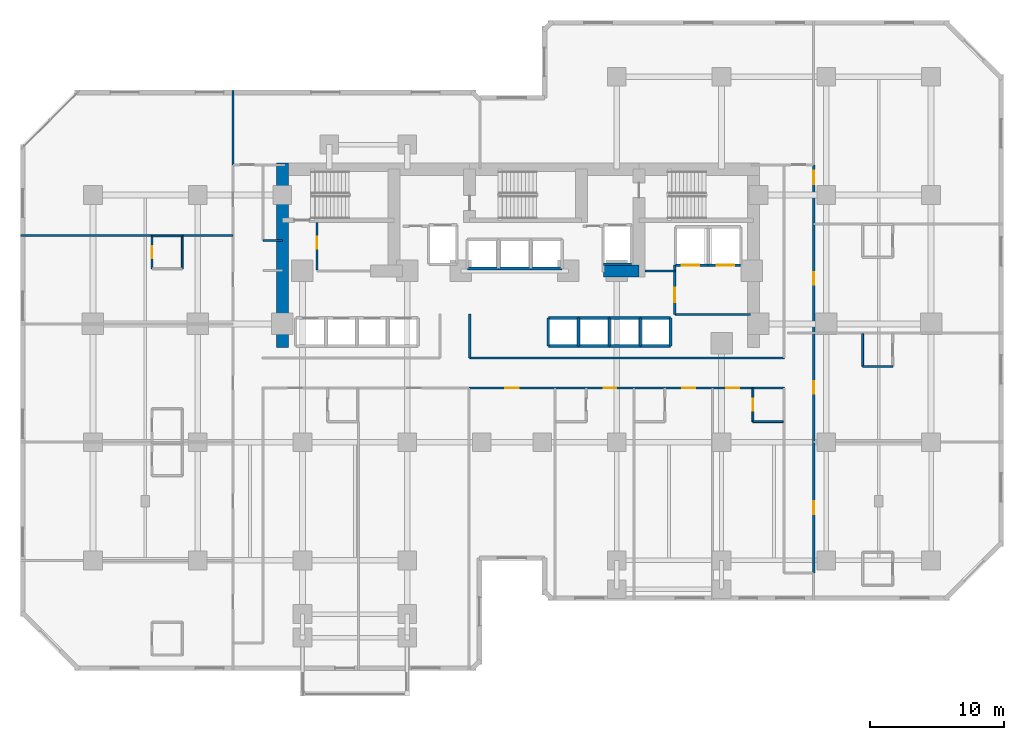
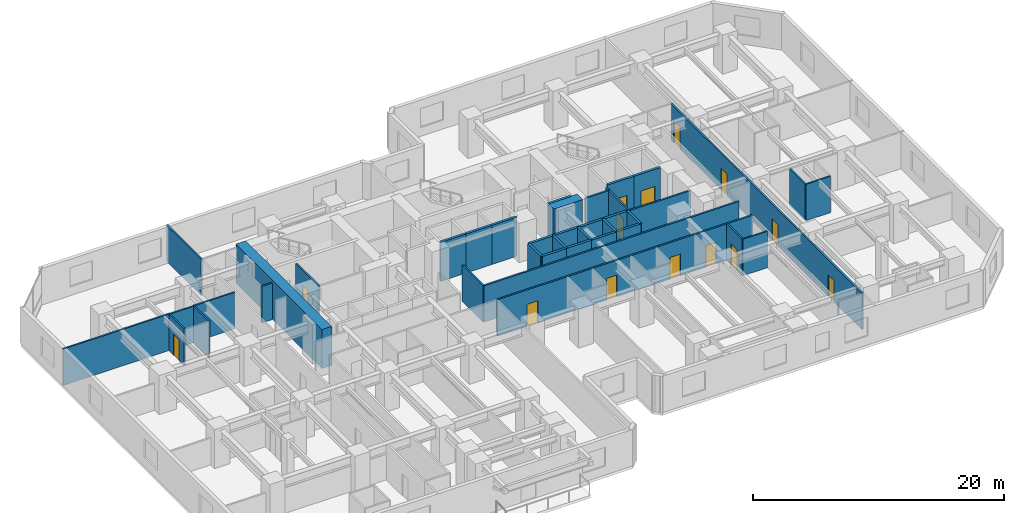
# One storey, part 7 of 12: 40 walls, 14 doors, 14 openings.
"""IFC4 building model written with IfcOpenShell, lengths in metres."""

import ifcopenshell
import ifcopenshell.guid

model = None  # the IFC model being written
_history = None  # IfcOwnerHistory: only IFC2X3 demands one
_inside = {}  # id of a spatial element -> (the spatial element, [elements in it])
_under = {}  # id of a project, library or spatial element -> (it, [spatial elements below it])
_declared = {}  # id of a project -> (the project, [libraries it declares])
_typed = {}  # id of a type object -> (the type object, [elements of that type])
_made_of = {}  # id of a material, layer set ... -> (it, [elements and type objects made of it])


def new_model(schema):
    """Start an empty IFC model of exactly this schema.

    Asked for "IFC4X3", IfcOpenShell would pick the latest addendum, in which some entities
    have other attributes; the version numbers below select the first issue.
    IFC2X3 requires an IfcOwnerHistory on every rooted entity: one is made here for all.
    """
    global model, _history
    if schema == "IFC4X3":
        model = ifcopenshell.file(schema_version=(4, 3, 0, 0))
    else:
        model = ifcopenshell.file(schema=schema)
    _inside.clear()
    _under.clear()
    _declared.clear()
    _typed.clear()
    _made_of.clear()
    _history = None
    if model.schema == "IFC2X3":
        org = make("IfcOrganization", Name="unknown")
        user = make(
            "IfcPersonAndOrganization",
            ThePerson=make("IfcPerson", FamilyName="unknown"),
            TheOrganization=org,
        )
        app = make(
            "IfcApplication",
            ApplicationDeveloper=org,
            Version="unknown",
            ApplicationFullName="unknown",
            ApplicationIdentifier="unknown",
        )
        _history = make(
            "IfcOwnerHistory",
            OwningUser=user,
            OwningApplication=app,
            ChangeAction="ADDED",
            CreationDate=0,
        )
    return model


def make(cls, **values):
    """One entity of the class cls with the attributes given. An attribute that is None is left unset."""
    return model.create_entity(
        cls, **{name: value for name, value in values.items() if value is not None}
    )


def rooted(cls, **values):
    """An entity with a GlobalId (a new one), such as an element, a storey or a relation."""
    return make(cls, GlobalId=ifcopenshell.guid.new(), OwnerHistory=_history, **values)


def si_unit(unit_type, name, prefix=None):
    """IfcSIUnit, for example si_unit("LENGTHUNIT", "METRE", prefix="MILLI")."""
    return make("IfcSIUnit", UnitType=unit_type, Prefix=prefix, Name=name)


def assignment(units):
    """IfcUnitAssignment: the units of a project."""
    return None if units is None else make("IfcUnitAssignment", Units=units)


def point(xyz):
    """IfcCartesianPoint."""
    return None if xyz is None else make("IfcCartesianPoint", Coordinates=xyz)


def direction(xyz):
    """IfcDirection."""
    return None if xyz is None else make("IfcDirection", DirectionRatios=xyz)


def frame(location, z_axis=None, x_axis=None):
    """IfcAxis2Placement3D, a coordinate frame: its origin and axes. An axis left out is left unset."""
    return make(
        "IfcAxis2Placement3D",
        Location=point(location),
        Axis=direction(z_axis),
        RefDirection=direction(x_axis),
    )


def frame_2d(location, x_axis=None):
    """IfcAxis2Placement2D, a coordinate frame in the plane: its origin and x axis."""
    return make(
        "IfcAxis2Placement2D", Location=point(location), RefDirection=direction(x_axis)
    )


def origin():
    """The frame at (0, 0, 0) with its axes left unset."""
    return frame((0.0, 0.0, 0.0))


def place(relative_to, where):
    """IfcLocalPlacement: puts the frame where relative to a parent placement (None: the world)."""
    return make(
        "IfcLocalPlacement", PlacementRelTo=relative_to, RelativePlacement=where
    )


def context(
    kind, dimensions, precision=None, world=None, true_north=None, identifier=None
):
    """IfcGeometricRepresentationContext, for example the 3D "Model" context."""
    return make(
        "IfcGeometricRepresentationContext",
        ContextIdentifier=identifier,
        ContextType=kind,
        CoordinateSpaceDimension=dimensions,
        Precision=precision,
        WorldCoordinateSystem=world,
        TrueNorth=true_north,
    )


def subcontext(parent, identifier, kind, view, scale=None):
    """IfcGeometricRepresentationSubContext, for example "Body" below "Model"."""
    return make(
        "IfcGeometricRepresentationSubContext",
        ContextIdentifier=identifier,
        ContextType=kind,
        ParentContext=parent,
        TargetScale=scale,
        TargetView=view,
    )


def project(units=None, contexts=None):
    """IfcProject with its units and contexts."""
    return rooted(
        "IfcProject",
        Name="project",
        RepresentationContexts=contexts,
        UnitsInContext=assignment(units),
    )


def spatial(cls, under=None, at=None, **own):
    """A site, building, storey or space (cls), placed at a placement, below another one or the project."""
    s = rooted(cls, ObjectPlacement=at, **own)
    if under is not None:
        _under.setdefault(under.id(), (under, []))[1].append(s)
    return s


def profile(cls, at=None, kind="AREA", **sizes):
    """A parametric profile (cls). Its sizes go by their IFC names, for example OverallWidth=200.0."""
    return make(cls, ProfileType=kind, Position=at, **sizes)


def rectangle(**sizes):
    """IfcRectangleProfileDef."""
    return profile("IfcRectangleProfileDef", **sizes)


def extrude(swept, where, along, depth):
    """IfcExtrudedAreaSolid: the profile swept, set in the frame where, extruded along a direction by depth."""
    return make(
        "IfcExtrudedAreaSolid",
        SweptArea=swept,
        Position=where,
        ExtrudedDirection=direction(along),
        Depth=depth,
    )


def shape(context_of_items, identifier, shape_type, items):
    """IfcShapeRepresentation: the items that make up one representation, for example the "Body"."""
    return make(
        "IfcShapeRepresentation",
        ContextOfItems=context_of_items,
        RepresentationIdentifier=identifier,
        RepresentationType=shape_type,
        Items=items,
    )


def material(Name=None, Category=None):
    """IfcMaterial."""
    return make("IfcMaterial", Name=Name, Category=Category)


def layer(
    of_material, thickness, ventilated=None, Name=None, Category=None, Priority=None
):
    """IfcMaterialLayer: one layer of a wall or slab, of a material (None: an air gap)."""
    return make(
        "IfcMaterialLayer",
        Material=of_material,
        LayerThickness=thickness,
        IsVentilated=ventilated,
        Name=Name,
        Category=Category,
        Priority=Priority,
    )


def layer_set(layers, Name=None):
    """IfcMaterialLayerSet."""
    return make("IfcMaterialLayerSet", MaterialLayers=layers, LayerSetName=Name)


def made_of(thing, what):
    """Note that an element or type object is made of a material, layer set ...; save() writes the relation."""
    if what is not None:
        _made_of.setdefault(what.id(), (what, []))[1].append(thing)
    return thing


def type_object(cls, material=None, **own):
    """A type object (cls), such as IfcWallType, which elements share."""
    return made_of(rooted(cls, **own), material)


def element(
    cls,
    number,
    at=None,
    inside=None,
    cuts=None,
    type_object=None,
    material=None,
    context=None,
    identifier="Body",
    shape_type=None,
    held_by="IfcProductDefinitionShape",
    body=None,
    shapes=None,
    **own,
):
    """One element of the class cls, such as IfcWall. Its Tag is "e" and its number.

    at: its placement. inside: the storey or other place that contains it. cuts: it is an
    opening in that element (IfcRelVoidsElement). A single representation is given by context,
    identifier, shape_type and body (its items); several are given by shapes. held_by: the class
    of the entity that holds the representations. save() writes the other relations.
    """
    e = rooted(cls, Tag="e%d" % number, ObjectPlacement=at, **own)
    if body is not None:
        shapes = [shape(context, identifier, shape_type, body)]
    if shapes is not None:
        e.Representation = make(held_by, Representations=shapes)
    if inside is not None:
        _inside.setdefault(inside.id(), (inside, []))[1].append(e)
    if cuts is not None:
        rooted(
            "IfcRelVoidsElement", RelatingBuildingElement=cuts, RelatedOpeningElement=e
        )
    if type_object is not None:
        _typed.setdefault(type_object.id(), (type_object, []))[1].append(e)
    return made_of(e, material)


def fill(opening, filler):
    """IfcRelFillsElement: the door or window that sits in an opening."""
    return rooted(
        "IfcRelFillsElement",
        RelatingOpeningElement=opening,
        RelatedBuildingElement=filler,
    )


def aggregate(whole, parts):
    """IfcRelAggregates: a whole, such as a stair, and the parts it consists of."""
    return rooted("IfcRelAggregates", RelatingObject=whole, RelatedObjects=parts)


def save(model, path):
    """Write the relations noted so far, then the file.

    IfcRelAggregates (storeys below a building ...), IfcRelContainedInSpatialStructure (elements
    in a storey), IfcRelDefinesByType, IfcRelAssociatesMaterial and IfcRelDeclares: one each for
    every whole, place, type object, material and project.
    """
    for whole, parts in _under.values():
        aggregate(whole, parts)
    for where, things in _inside.values():
        rooted(
            "IfcRelContainedInSpatialStructure",
            RelatedElements=things,
            RelatingStructure=where,
        )
    for kind, things in _typed.values():
        rooted("IfcRelDefinesByType", RelatedObjects=things, RelatingType=kind)
    for what, things in _made_of.values():
        rooted("IfcRelAssociatesMaterial", RelatedObjects=things, RelatingMaterial=what)
    for by, libraries in _declared.values():
        rooted("IfcRelDeclares", RelatingContext=by, RelatedDefinitions=libraries)
    model.write(path)


model = new_model("IFC4")

# Units and contexts
model_context = context("Model", 3, precision=1e-05, world=origin(), true_north=direction((0.0, 1.0)))
body_context = subcontext(model_context, "Body", "Model", "MODEL_VIEW")
ifc_project = project(units=[si_unit("LENGTHUNIT", "METRE"), si_unit("AREAUNIT", "SQUARE_METRE"), si_unit("VOLUMEUNIT", "CUBIC_METRE"), si_unit("PLANEANGLEUNIT", "RADIAN"), si_unit("MASSUNIT", "GRAM", prefix="KILO")], contexts=[model_context])

# Site, building, storey
site_placement = place(None, origin())
site = spatial("IfcSite", under=ifc_project, at=site_placement, CompositionType="ELEMENT")
building_placement = place(site_placement, origin())
building = spatial("IfcBuilding", under=site, at=building_placement, Name="Kestravale Grand Hotel", CompositionType="ELEMENT")
storey_placement = place(building_placement, frame((0.0, 0.0, 60.199951171875)))
storey = spatial("IfcBuildingStorey", under=building, at=storey_placement, Name="L14", CompositionType="ELEMENT", Elevation=60.199951171875)

# Walls
ifc_material_1 = material(Name="Concrete f'c 70 MPa", Category="concrete")
ifc_layer_1 = layer(ifc_material_1, 0.89990234375)
ifc_layer_set_1 = layer_set([ifc_layer_1], Name="EW-CORE-900")
wall_type_1 = type_object("IfcWallType", Name="EW-CORE-900", PredefinedType="SHEAR", material=ifc_layer_set_1)
wall_1_placement = place(storey_placement, frame((21.89990234375, 27.050048828125, 0.0), z_axis=(0.0, 0.0, 1.0), x_axis=(0.0, 1.0, 0.0)))
element("IfcWall", 1, at=wall_1_placement, inside=storey, type_object=wall_type_1, Name="L14 core shear wall W1", PredefinedType="SHEAR", context=body_context, shape_type="SweptSolid", body=[
    extrude(rectangle(XDim=13.719970703125, YDim=0.89990234375, at=frame_2d((6.85986328125, 0.0))), origin(), (0.0, 0.0, 1.0), 3.800048828125),
])
wall_2_placement = place(storey_placement, frame((45.81005859375, 32.75, 0.0), z_axis=(0.0, 0.0, 1.0), x_axis=(1.0, 0.0, 0.0)))
element("IfcWall", 2, at=wall_2_placement, inside=storey, type_object=wall_type_1, Name="L14 core shear wall S2", PredefinedType="SHEAR", context=body_context, shape_type="SweptSolid", body=[
    extrude(rectangle(XDim=2.639892578125, YDim=0.89990234375, at=frame_2d((1.31982421875, 0.0))), origin(), (0.0, 0.0, 1.0), 3.800048828125),
])

# Wall, opening, door
ifc_material_2 = material(Name="Acoustic fire-rated gypsum board partition", Category="other")
ifc_layer_2 = layer(ifc_material_2, 0.159912109375)
ifc_layer_set_2 = layer_set([ifc_layer_2], Name="IW-CORR-160")
wall_type_2 = type_object("IfcWallType", Name="IW-CORR-160", PredefinedType="PARTITIONING", material=ifc_layer_set_2)
wall_3_placement = place(storey_placement, frame((24.47998046875, 32.800048828125, 0.0), z_axis=(0.0, 0.0, 1.0), x_axis=(0.0, 1.0, 0.0)))
wall_3 = element("IfcWall", 3, at=wall_3_placement, inside=storey, type_object=wall_type_2, Name="L14 west core vestibule wall", PredefinedType="PARTITIONING", context=body_context, shape_type="SweptSolid", body=[
    extrude(rectangle(XDim=3.570068359375, YDim=0.159912109375, at=frame_2d((1.78515625, 0.0))), origin(), (0.0, 0.0, 1.0), 3.5400390625),
])
opening_1_placement = place(wall_3_placement, frame((1.603515625, 0.0, 0.0)))
opening_1 = element("IfcOpeningElement", 4, at=opening_1_placement, cuts=wall_3, Name="Opening D-SH-900", PredefinedType="OPENING", context=body_context, shape_type="SweptSolid", body=[
    extrude(rectangle(XDim=0.89990234375, YDim=2.10009765625, at=frame_2d((0.449951171875, 1.050048828125))), frame((0.0, 0.08984375, 0.0), z_axis=(0.0, -1.0, 0.0), x_axis=(1.0, 0.0, 0.0)), (0.0, 0.0, 1.0), 0.179931640625),
])
ifc_material_3 = material(Name="Galvanised 90-minute shaft and service fire door", Category="steel")
door_type_1 = type_object("IfcDoorType", Name="D-SH-900", OperationType="NOTDEFINED", PredefinedType="DOOR", material=ifc_material_3)
door_1_placement = place(opening_1_placement, origin())
door_1 = element("IfcDoor", 5, at=door_1_placement, inside=storey, type_object=door_type_1, Name="D-L14-HK", OperationType="SINGLE_SWING_RIGHT", OverallHeight=2.10009765625, OverallWidth=0.89990234375, PredefinedType="DOOR", context=body_context, shape_type="SweptSolid", body=[
    extrude(rectangle(XDim=0.89990234375, YDim=2.10009765625, at=frame_2d((0.449951171875, 1.050048828125))), frame((0.0, 0.02490234375, 0.0), z_axis=(0.0, -1.0, 0.0), x_axis=(1.0, 0.0, 0.0)), (0.0, 0.0, 1.0), 0.050048828125),
])
fill(opening_1, door_1)

wall_4_placement = place(storey_placement, frame((51.1201171875, 29.5, 0.0), z_axis=(0.0, 0.0, 1.0), x_axis=(0.0, 1.0, 0.0)))
wall_4 = element("IfcWall", 6, at=wall_4_placement, inside=storey, type_object=wall_type_2, Name="W-L14-SVCLOB-W", PredefinedType="PARTITIONING", context=body_context, shape_type="SweptSolid", body=[
    extrude(rectangle(XDim=3.699951171875, YDim=0.159912109375, at=frame_2d((1.85009765625, 0.0))), origin(), (0.0, 0.0, 1.0), 3.5400390625),
])
opening_2_placement = place(wall_4_placement, frame((0.89990234375, 0.0, 0.0)))
opening_2 = element("IfcOpeningElement", 7, at=opening_2_placement, cuts=wall_4, Name="Opening D-CORR-1100", PredefinedType="OPENING", context=body_context, shape_type="SweptSolid", body=[
    extrude(rectangle(XDim=1.10009765625, YDim=2.14990234375, at=frame_2d((0.550048828125, 1.074951171875))), frame((0.0, 0.08984375, 0.0), z_axis=(0.0, -1.0, 0.0), x_axis=(1.0, 0.0, 0.0)), (0.0, 0.0, 1.0), 0.179931640625),
])
ifc_material_4 = material(Name="Single-leaf service vestibule fire door", Category="steel")
door_type_2 = type_object("IfcDoorType", Name="D-CORR-1100", OperationType="NOTDEFINED", PredefinedType="DOOR", material=ifc_material_4)
door_2_placement = place(opening_2_placement, origin())
door_2 = element("IfcDoor", 8, at=door_2_placement, inside=storey, type_object=door_type_2, Name="L14 service lift lobby door", OperationType="SINGLE_SWING_LEFT", OverallHeight=2.14990234375, OverallWidth=1.10009765625, PredefinedType="DOOR", context=body_context, shape_type="SweptSolid", body=[
    extrude(rectangle(XDim=1.10009765625, YDim=2.14990234375, at=frame_2d((0.550048828125, 1.074951171875))), frame((0.0, 0.02490234375, 0.0), z_axis=(0.0, -1.0, 0.0), x_axis=(1.0, 0.0, 0.0)), (0.0, 0.0, 1.0), 0.050048828125),
])
fill(opening_2, door_2)

# Walls
wall_5_placement = place(storey_placement, frame((51.1201171875, 29.5, 0.0), z_axis=(0.0, 0.0, 1.0), x_axis=(1.0, 0.0, 0.0)))
element("IfcWall", 9, at=wall_5_placement, inside=storey, type_object=wall_type_2, Name="L14 service lift lobby wall", PredefinedType="PARTITIONING", context=body_context, shape_type="SweptSolid", body=[
    extrude(rectangle(XDim=5.6298828125, YDim=0.159912109375, at=frame_2d((2.81494140625, 0.0))), origin(), (0.0, 0.0, 1.0), 3.5400390625),
])
wall_6_placement = place(storey_placement, frame((48.919921875, 32.75, 0.0), z_axis=(0.0, 0.0, 1.0), x_axis=(1.0, 0.0, 0.0)))
element("IfcWall", 10, at=wall_6_placement, inside=storey, type_object=wall_type_2, Name="W-L14-CES", PredefinedType="PARTITIONING", context=body_context, shape_type="SweptSolid", body=[
    extrude(rectangle(XDim=2.2001953125, YDim=0.159912109375, at=frame_2d((1.10009765625, 0.0))), origin(), (0.0, 0.0, 1.0), 3.5400390625),
])
wall_7_placement = place(storey_placement, frame((35.85009765625, 26.260009765625, 0.0), z_axis=(0.0, 0.0, 1.0), x_axis=(1.0, 0.0, 0.0)))
element("IfcWall", 11, at=wall_7_placement, inside=storey, type_object=wall_type_2, Name="W-L14-CE-N", PredefinedType="PARTITIONING", context=body_context, shape_type="SweptSolid", body=[
    extrude(rectangle(XDim=23.449951171875, YDim=0.159912109375, at=frame_2d((11.72509765625, 0.0))), origin(), (0.0, 0.0, 1.0), 3.5400390625),
])
wall_8_placement = place(storey_placement, frame((35.85009765625, 26.260009765625, 0.0), z_axis=(0.0, 0.0, 1.0), x_axis=(0.0, 1.0, 0.0)))
element("IfcWall", 12, at=wall_8_placement, inside=storey, type_object=wall_type_2, Name="W-L14-TRUNK-E", PredefinedType="PARTITIONING", context=body_context, shape_type="SweptSolid", body=[
    extrude(rectangle(XDim=3.2900390625, YDim=0.159912109375, at=frame_2d((1.64501953125, 0.0))), origin(), (0.0, 0.0, 1.0), 3.5400390625),
])

# Wall, openings, doors
wall_9_placement = place(storey_placement, frame((35.800048828125, 24.0400390625, 0.0), z_axis=(0.0, 0.0, 1.0), x_axis=(1.0, 0.0, 0.0)))
wall_9 = element("IfcWall", 13, at=wall_9_placement, inside=storey, type_object=wall_type_2, Name="W-L14-CE-S", PredefinedType="PARTITIONING", context=body_context, shape_type="SweptSolid", body=[
    extrude(rectangle(XDim=23.5, YDim=0.159912109375, at=frame_2d((11.75, 0.0))), origin(), (0.0, 0.0, 1.0), 3.5400390625),
])
opening_3_placement = place(wall_9_placement, frame((2.705078125, 0.0, 0.0)))
opening_3 = element("IfcOpeningElement", 14, at=opening_3_placement, cuts=wall_9, Name="Opening D-GUEST-1000", PredefinedType="OPENING", context=body_context, shape_type="SweptSolid", body=[
    extrude(rectangle(XDim=1.0, YDim=2.14990234375, at=frame_2d((0.5, 1.074951171875))), frame((0.0, 0.08984375, 0.0), z_axis=(0.0, -1.0, 0.0), x_axis=(1.0, 0.0, 0.0)), (0.0, 0.0, 1.0), 0.179931640625),
])
opening_4_placement = place(wall_9_placement, frame((10.02001953125, 0.0, 0.0)))
opening_4 = element("IfcOpeningElement", 15, at=opening_4_placement, cuts=wall_9, Name="Opening D-GUEST-950", PredefinedType="OPENING", context=body_context, shape_type="SweptSolid", body=[
    extrude(rectangle(XDim=0.949951171875, YDim=2.10009765625, at=frame_2d((0.47509765625, 1.050048828125))), frame((0.0, 0.08984375, 0.0), z_axis=(0.0, -1.0, 0.0), x_axis=(1.0, 0.0, 0.0)), (0.0, 0.0, 1.0), 0.179931640625),
])
opening_5_placement = place(wall_9_placement, frame((15.8798828125, 0.0, 0.0)))
opening_5 = element("IfcOpeningElement", 16, at=opening_5_placement, cuts=wall_9, Name="Opening D-GUEST-950", PredefinedType="OPENING", context=body_context, shape_type="SweptSolid", body=[
    extrude(rectangle(XDim=0.949951171875, YDim=2.10009765625, at=frame_2d((0.47509765625, 1.050048828125))), frame((0.0, 0.08984375, 0.0), z_axis=(0.0, -1.0, 0.0), x_axis=(1.0, 0.0, 0.0)), (0.0, 0.0, 1.0), 0.179931640625),
])
opening_6_placement = place(wall_9_placement, frame((19.155029296875, 0.0, 0.0)))
opening_6 = element("IfcOpeningElement", 17, at=opening_6_placement, cuts=wall_9, Name="Opening D-GUEST-950", PredefinedType="OPENING", context=body_context, shape_type="SweptSolid", body=[
    extrude(rectangle(XDim=0.949951171875, YDim=2.10009765625, at=frame_2d((0.47509765625, 1.050048828125))), frame((0.0, 0.08984375, 0.0), z_axis=(0.0, -1.0, 0.0), x_axis=(1.0, 0.0, 0.0)), (0.0, 0.0, 1.0), 0.179931640625),
])
ifc_material_5 = material(Name="Accessible walnut veneer hotel entrance fire door", Category="wood")
door_type_3 = type_object("IfcDoorType", Name="D-GUEST-1000", OperationType="NOTDEFINED", PredefinedType="DOOR", material=ifc_material_5)
door_3_placement = place(opening_3_placement, origin())
door_3 = element("IfcDoor", 18, at=door_3_placement, inside=storey, type_object=door_type_3, Name="D-L14-AME", OperationType="SINGLE_SWING_LEFT", OverallHeight=2.14990234375, OverallWidth=1.0, PredefinedType="DOOR", context=body_context, shape_type="SweptSolid", body=[
    extrude(rectangle(XDim=1.0, YDim=2.14990234375, at=frame_2d((0.5, 1.074951171875))), frame((0.0, 0.02490234375, 0.0), z_axis=(0.0, -1.0, 0.0), x_axis=(1.0, 0.0, 0.0)), (0.0, 0.0, 1.0), 0.050048828125),
])
fill(opening_3, door_3)
ifc_material_6 = material(Name="Walnut veneer hotel guestroom entrance fire door", Category="wood")
door_type_4 = type_object("IfcDoorType", Name="D-GUEST-950", OperationType="NOTDEFINED", PredefinedType="DOOR", material=ifc_material_6)
door_4_placement = place(opening_4_placement, origin())
door_4 = element("IfcDoor", 19, at=door_4_placement, inside=storey, type_object=door_type_4, Name="D-L14-U02-ENT", OperationType="SINGLE_SWING_LEFT", OverallHeight=2.10009765625, OverallWidth=0.949951171875, PredefinedType="DOOR", context=body_context, shape_type="SweptSolid", body=[
    extrude(rectangle(XDim=0.949951171875, YDim=2.10009765625, at=frame_2d((0.47509765625, 1.050048828125))), frame((0.0, 0.02490234375, 0.0), z_axis=(0.0, -1.0, 0.0), x_axis=(1.0, 0.0, 0.0)), (0.0, 0.0, 1.0), 0.050048828125),
])
fill(opening_4, door_4)
door_5_placement = place(opening_5_placement, origin())
door_5 = element("IfcDoor", 20, at=door_5_placement, inside=storey, type_object=door_type_4, Name="D-L14-U03-ENT", OperationType="SINGLE_SWING_LEFT", OverallHeight=2.10009765625, OverallWidth=0.949951171875, PredefinedType="DOOR", context=body_context, shape_type="SweptSolid", body=[
    extrude(rectangle(XDim=0.949951171875, YDim=2.10009765625, at=frame_2d((0.47509765625, 1.050048828125))), frame((0.0, 0.02490234375, 0.0), z_axis=(0.0, -1.0, 0.0), x_axis=(1.0, 0.0, 0.0)), (0.0, 0.0, 1.0), 0.050048828125),
])
fill(opening_5, door_5)
door_6_placement = place(opening_6_placement, origin())
door_6 = element("IfcDoor", 21, at=door_6_placement, inside=storey, type_object=door_type_4, Name="D-L14-U04-ENT", OperationType="SINGLE_SWING_LEFT", OverallHeight=2.10009765625, OverallWidth=0.949951171875, PredefinedType="DOOR", context=body_context, shape_type="SweptSolid", body=[
    extrude(rectangle(XDim=0.949951171875, YDim=2.10009765625, at=frame_2d((0.47509765625, 1.050048828125))), frame((0.0, 0.02490234375, 0.0), z_axis=(0.0, -1.0, 0.0), x_axis=(1.0, 0.0, 0.0)), (0.0, 0.0, 1.0), 0.050048828125),
])
fill(opening_6, door_6)

# Wall
wall_10_placement = place(storey_placement, frame((20.4599609375, 35.02001953125, 0.0), z_axis=(0.0, 0.0, 1.0), x_axis=(1.0, 0.0, 0.0)))
element("IfcWall", 22, at=wall_10_placement, inside=storey, type_object=wall_type_2, Name="W-L14-SW-CN", PredefinedType="PARTITIONING", context=body_context, shape_type="SweptSolid", body=[
    extrude(rectangle(XDim=1.43994140625, YDim=0.159912109375, at=frame_2d((0.719970703125, 0.0))), origin(), (0.0, 0.0, 1.0), 3.5400390625),
])

# Wall, openings, doors
wall_11_placement = place(storey_placement, frame((61.4599609375, 10.25, 0.0), z_axis=(0.0, 0.0, 1.0), x_axis=(0.0, 1.0, 0.0)))
wall_11 = element("IfcWall", 23, at=wall_11_placement, inside=storey, type_object=wall_type_2, Name="W-L14-SE-E", PredefinedType="PARTITIONING", context=body_context, shape_type="SweptSolid", body=[
    extrude(rectangle(XDim=30.39990234375, YDim=0.159912109375, at=frame_2d((15.199951171875, 0.0))), origin(), (0.0, 0.0, 1.0), 3.5400390625),
])
opening_7_placement = place(wall_11_placement, frame((4.39990234375, 0.0, 0.0)))
opening_7 = element("IfcOpeningElement", 24, at=opening_7_placement, cuts=wall_11, Name="Opening D-GUEST-950", PredefinedType="OPENING", context=body_context, shape_type="SweptSolid", body=[
    extrude(rectangle(XDim=0.949951171875, YDim=2.10009765625, at=frame_2d((0.47509765625, 1.050048828125))), frame((0.0, 0.08984375, 0.0), z_axis=(0.0, -1.0, 0.0), x_axis=(1.0, 0.0, 0.0)), (0.0, 0.0, 1.0), 0.179931640625),
])
opening_8_placement = place(wall_11_placement, frame((13.33740234375, 0.0, 0.0)))
opening_8 = element("IfcOpeningElement", 25, at=opening_8_placement, cuts=wall_11, Name="Opening D-GUEST-950", PredefinedType="OPENING", context=body_context, shape_type="SweptSolid", body=[
    extrude(rectangle(XDim=0.949951171875, YDim=2.10009765625, at=frame_2d((0.47509765625, 1.050048828125))), frame((0.0, 0.08984375, 0.0), z_axis=(0.0, -1.0, 0.0), x_axis=(1.0, 0.0, 0.0)), (0.0, 0.0, 1.0), 0.179931640625),
])
opening_9_placement = place(wall_11_placement, frame((21.46240234375, 0.0, 0.0)))
opening_9 = element("IfcOpeningElement", 26, at=opening_9_placement, cuts=wall_11, Name="Opening D-GUEST-950", PredefinedType="OPENING", context=body_context, shape_type="SweptSolid", body=[
    extrude(rectangle(XDim=0.949951171875, YDim=2.10009765625, at=frame_2d((0.47509765625, 1.050048828125))), frame((0.0, 0.08984375, 0.0), z_axis=(0.0, -1.0, 0.0), x_axis=(1.0, 0.0, 0.0)), (0.0, 0.0, 1.0), 0.179931640625),
])
opening_10_placement = place(wall_11_placement, frame((28.9599609375, 0.0, 0.0)))
opening_10 = element("IfcOpeningElement", 27, at=opening_10_placement, cuts=wall_11, Name="Opening D-GUEST-1000", PredefinedType="OPENING", context=body_context, shape_type="SweptSolid", body=[
    extrude(rectangle(XDim=1.0, YDim=2.14990234375, at=frame_2d((0.5, 1.074951171875))), frame((0.0, 0.08984375, 0.0), z_axis=(0.0, -1.0, 0.0), x_axis=(1.0, 0.0, 0.0)), (0.0, 0.0, 1.0), 0.179931640625),
])
door_7_placement = place(opening_10_placement, origin())
door_7 = element("IfcDoor", 28, at=door_7_placement, inside=storey, type_object=door_type_3, Name="D-L14-AMEW", OperationType="SINGLE_SWING_LEFT", OverallHeight=2.14990234375, OverallWidth=1.0, PredefinedType="DOOR", context=body_context, shape_type="SweptSolid", body=[
    extrude(rectangle(XDim=1.0, YDim=2.14990234375, at=frame_2d((0.5, 1.074951171875))), frame((0.0, 0.02490234375, 0.0), z_axis=(0.0, -1.0, 0.0), x_axis=(1.0, 0.0, 0.0)), (0.0, 0.0, 1.0), 0.050048828125),
])
fill(opening_10, door_7)
door_8_placement = place(opening_7_placement, origin())
door_8 = element("IfcDoor", 29, at=door_8_placement, inside=storey, type_object=door_type_4, Name="D-L14-U09-ENT", OperationType="SINGLE_SWING_RIGHT", OverallHeight=2.10009765625, OverallWidth=0.949951171875, PredefinedType="DOOR", context=body_context, shape_type="SweptSolid", body=[
    extrude(rectangle(XDim=0.949951171875, YDim=2.10009765625, at=frame_2d((0.47509765625, 1.050048828125))), frame((0.0, 0.02490234375, 0.0), z_axis=(0.0, -1.0, 0.0), x_axis=(1.0, 0.0, 0.0)), (0.0, 0.0, 1.0), 0.050048828125),
])
fill(opening_7, door_8)
door_9_placement = place(opening_8_placement, origin())
door_9 = element("IfcDoor", 30, at=door_9_placement, inside=storey, type_object=door_type_4, Name="D-L14-U10-ENT", OperationType="SINGLE_SWING_RIGHT", OverallHeight=2.10009765625, OverallWidth=0.949951171875, PredefinedType="DOOR", context=body_context, shape_type="SweptSolid", body=[
    extrude(rectangle(XDim=0.949951171875, YDim=2.10009765625, at=frame_2d((0.47509765625, 1.050048828125))), frame((0.0, 0.02490234375, 0.0), z_axis=(0.0, -1.0, 0.0), x_axis=(1.0, 0.0, 0.0)), (0.0, 0.0, 1.0), 0.050048828125),
])
fill(opening_8, door_9)
door_10_placement = place(opening_9_placement, origin())
door_10 = element("IfcDoor", 31, at=door_10_placement, inside=storey, type_object=door_type_4, Name="D-L14-U11-ENT", OperationType="SINGLE_SWING_RIGHT", OverallHeight=2.10009765625, OverallWidth=0.949951171875, PredefinedType="DOOR", context=body_context, shape_type="SweptSolid", body=[
    extrude(rectangle(XDim=0.949951171875, YDim=2.10009765625, at=frame_2d((0.47509765625, 1.050048828125))), frame((0.0, 0.02490234375, 0.0), z_axis=(0.0, -1.0, 0.0), x_axis=(1.0, 0.0, 0.0)), (0.0, 0.0, 1.0), 0.050048828125),
])
fill(opening_9, door_10)

# Wall, opening, door
ifc_material_7 = material(Name="Moisture-resistant tile-backer plumbing chase wall", Category="other")
ifc_layer_3 = layer(ifc_material_7, 0.139892578125)
ifc_layer_set_3 = layer_set([ifc_layer_3], Name="IW-PLB-140")
wall_type_3 = type_object("IfcWallType", Name="IW-PLB-140", PredefinedType="PLUMBINGWALL", material=ifc_layer_set_3)
wall_12_placement = place(storey_placement, frame((56.929931640625, 21.530029296875, 0.0), z_axis=(0.0, 0.0, 1.0), x_axis=(0.0, 1.0, 0.0)))
wall_12 = element("IfcWall", 32, at=wall_12_placement, inside=storey, type_object=wall_type_3, Name="W-L14-U04-BW", PredefinedType="PLUMBINGWALL", context=body_context, shape_type="SweptSolid", body=[
    extrude(rectangle(XDim=2.489990234375, YDim=0.139892578125, at=frame_2d((1.2451171875, 0.0))), origin(), (0.0, 0.0, 1.0), 3.5400390625),
])
opening_11_placement = place(wall_12_placement, frame((0.804931640625, 0.0, 0.0)))
opening_11 = element("IfcOpeningElement", 33, at=opening_11_placement, cuts=wall_12, Name="Opening D-BATH-880", PredefinedType="OPENING", context=body_context, shape_type="SweptSolid", body=[
    extrude(rectangle(XDim=0.8798828125, YDim=2.050048828125, at=frame_2d((0.43994140625, 1.02490234375))), frame((0.0, 0.079833984375, 0.0), z_axis=(0.0, -1.0, 0.0), x_axis=(1.0, 0.0, 0.0)), (0.0, 0.0, 1.0), 0.159912109375),
])
ifc_material_8 = material(Name="Moisture-sealed walnut en-suite bathroom door", Category="wood")
door_type_5 = type_object("IfcDoorType", Name="D-BATH-880", OperationType="NOTDEFINED", PredefinedType="DOOR", material=ifc_material_8)
door_11_placement = place(opening_11_placement, origin())
door_11 = element("IfcDoor", 34, at=door_11_placement, inside=storey, type_object=door_type_5, Name="D-L14-U04-BATH", OperationType="SINGLE_SWING_RIGHT", OverallHeight=2.050048828125, OverallWidth=0.8798828125, PredefinedType="DOOR", context=body_context, shape_type="SweptSolid", body=[
    extrude(rectangle(XDim=0.8798828125, YDim=2.050048828125, at=frame_2d((0.43994140625, 1.02490234375))), frame((0.0, 0.02490234375, 0.0), z_axis=(0.0, -1.0, 0.0), x_axis=(1.0, 0.0, 0.0)), (0.0, 0.0, 1.0), 0.050048828125),
])
fill(opening_11, door_11)

# Wall
wall_13_placement = place(storey_placement, frame((56.929931640625, 21.530029296875, 0.0), z_axis=(0.0, 0.0, 1.0), x_axis=(1.0, 0.0, 0.0)))
element("IfcWall", 35, at=wall_13_placement, inside=storey, type_object=wall_type_3, Name="W-L14-U04-BS", PredefinedType="PLUMBINGWALL", context=body_context, shape_type="SweptSolid", body=[
    extrude(rectangle(XDim=2.25, YDim=0.139892578125, at=frame_2d((1.125, 0.0))), origin(), (0.0, 0.0, 1.0), 3.5400390625),
])

# Wall, opening, door
wall_14_placement = place(storey_placement, frame((12.199951171875, 32.909912109375, 0.0), z_axis=(0.0, 0.0, 1.0), x_axis=(0.0, 1.0, 0.0)))
wall_14 = element("IfcWall", 36, at=wall_14_placement, inside=storey, type_object=wall_type_3, Name="W-L14-U08-BW", PredefinedType="PLUMBINGWALL", context=body_context, shape_type="SweptSolid", body=[
    extrude(rectangle(XDim=2.4501953125, YDim=0.139892578125, at=frame_2d((1.22509765625, 0.0))), origin(), (0.0, 0.0, 1.0), 3.5400390625),
])
opening_12_placement = place(wall_14_placement, frame((0.784912109375, 0.0, 0.0)))
opening_12 = element("IfcOpeningElement", 37, at=opening_12_placement, cuts=wall_14, Name="Opening D-BATH-880", PredefinedType="OPENING", context=body_context, shape_type="SweptSolid", body=[
    extrude(rectangle(XDim=0.8798828125, YDim=2.050048828125, at=frame_2d((0.43994140625, 1.02490234375))), frame((0.0, 0.079833984375, 0.0), z_axis=(0.0, -1.0, 0.0), x_axis=(1.0, 0.0, 0.0)), (0.0, 0.0, 1.0), 0.159912109375),
])
door_12_placement = place(opening_12_placement, origin())
door_12 = element("IfcDoor", 38, at=door_12_placement, inside=storey, type_object=door_type_5, Name="D-L14-U08-BATH", OperationType="SINGLE_SWING_RIGHT", OverallHeight=2.050048828125, OverallWidth=0.8798828125, PredefinedType="DOOR", context=body_context, shape_type="SweptSolid", body=[
    extrude(rectangle(XDim=0.8798828125, YDim=2.050048828125, at=frame_2d((0.43994140625, 1.02490234375))), frame((0.0, 0.02490234375, 0.0), z_axis=(0.0, -1.0, 0.0), x_axis=(1.0, 0.0, 0.0)), (0.0, 0.0, 1.0), 0.050048828125),
])
fill(opening_12, door_12)

# Walls
wall_15_placement = place(storey_placement, frame((14.449951171875, 32.909912109375, 0.0), z_axis=(0.0, 0.0, 1.0), x_axis=(0.0, 1.0, 0.0)))
element("IfcWall", 39, at=wall_15_placement, inside=storey, type_object=wall_type_3, Name="W-L14-U08-BE", PredefinedType="PLUMBINGWALL", context=body_context, shape_type="SweptSolid", body=[
    extrude(rectangle(XDim=2.4501953125, YDim=0.139892578125, at=frame_2d((1.22509765625, 0.0))), origin(), (0.0, 0.0, 1.0), 3.5400390625),
])
wall_16_placement = place(storey_placement, frame((12.199951171875, 35.360107421875, 0.0), z_axis=(0.0, 0.0, 1.0), x_axis=(1.0, 0.0, 0.0)))
element("IfcWall", 40, at=wall_16_placement, inside=storey, type_object=wall_type_3, Name="W-L14-U08-BN", PredefinedType="PLUMBINGWALL", context=body_context, shape_type="SweptSolid", body=[
    extrude(rectangle(XDim=2.25, YDim=0.139892578125, at=frame_2d((1.125, 0.0))), origin(), (0.0, 0.0, 1.0), 3.5400390625),
])
wall_17_placement = place(storey_placement, frame((65.10009765625, 25.635009765625, 0.0), z_axis=(0.0, 0.0, 1.0), x_axis=(0.0, 1.0, 0.0)))
element("IfcWall", 41, at=wall_17_placement, inside=storey, type_object=wall_type_3, Name="W-L14-U10-BW", PredefinedType="PLUMBINGWALL", context=body_context, shape_type="SweptSolid", body=[
    extrude(rectangle(XDim=2.449951171875, YDim=0.139892578125, at=frame_2d((1.22509765625, 0.0))), origin(), (0.0, 0.0, 1.0), 3.5400390625),
])
wall_18_placement = place(storey_placement, frame((65.10009765625, 25.635009765625, 0.0), z_axis=(0.0, 0.0, 1.0), x_axis=(1.0, 0.0, 0.0)))
element("IfcWall", 42, at=wall_18_placement, inside=storey, type_object=wall_type_3, Name="W-L14-U10-BS", PredefinedType="PLUMBINGWALL", context=body_context, shape_type="SweptSolid", body=[
    extrude(rectangle(XDim=2.25, YDim=0.139892578125, at=frame_2d((1.125, 0.0))), origin(), (0.0, 0.0, 1.0), 3.5400390625),
])
ifc_material_9 = material(Name="Concrete f'c 45 MPa", Category="concrete")
ifc_layer_4 = layer(ifc_material_9, 0.199951171875)
ifc_layer_set_4 = layer_set([ifc_layer_4], Name="IW-SHAFT-200")
wall_type_4 = type_object("IfcWallType", Name="IW-SHAFT-200", PredefinedType="SHEAR", material=ifc_layer_set_4)
for number, where, z_axis, x_axis, name in (
    (43, (41.705078125, 27.169921875, 0.0), (0.0, 0.0, 1.0), (0.0, 1.0, 0.0), "L14 PL-M1 west shaft wall"),
    (44, (43.949951171875, 27.169921875, 0.0), (0.0, 0.0, 1.0), (0.0, 1.0, 0.0), "L14 PL-M2 west shaft wall"),
    (45, (46.25, 27.169921875, 0.0), (0.0, 0.0, 1.0), (0.0, 1.0, 0.0), "L14 PL-M3 west shaft wall"),
    (46, (48.550048828125, 27.169921875, 0.0), (0.0, 0.0, 1.0), (0.0, 1.0, 0.0), "L14 PL-M4 west shaft wall"),
    (47, (50.794921875, 27.169921875, 0.0), (0.0, 0.0, 1.0), (0.0, 1.0, 0.0), "L14 PL-M4 east shaft wall"),
):
    element("IfcWall", number, at=place(storey_placement, frame(where, z_axis=z_axis, x_axis=x_axis)), inside=storey, type_object=wall_type_4, Name=name, PredefinedType="SHEAR", context=body_context, shape_type="SweptSolid", body=[
        extrude(rectangle(XDim=2.06005859375, YDim=0.199951171875, at=frame_2d((1.030029296875, 0.0))), origin(), (0.0, 0.0, 1.0), 3.800048828125),
    ])
ifc_material_10 = material(Name="Concrete f'c 45 MPa", Category="concrete")
ifc_layer_5 = layer(ifc_material_10, 0.219970703125)
ifc_layer_set_5 = layer_set([ifc_layer_5], Name="IW-SHAFT-220")
wall_type_5 = type_object("IfcWallType", Name="IW-SHAFT-220", PredefinedType="SHEAR", material=ifc_layer_set_5)
for number, where, z_axis, x_axis, name in (
    (48, (41.705078125, 29.22998046875, 0.0), (0.0, 0.0, 1.0), (1.0, 0.0, 0.0), "L14 PL-M1 north shaft wall"),
    (49, (41.705078125, 27.169921875, 0.0), (0.0, 0.0, 1.0), (1.0, 0.0, 0.0), "L14 PL-M1 south shaft wall"),
):
    element("IfcWall", number, at=place(storey_placement, frame(where, z_axis=z_axis, x_axis=x_axis)), inside=storey, type_object=wall_type_5, Name=name, PredefinedType="SHEAR", context=body_context, shape_type="SweptSolid", body=[
        extrude(rectangle(XDim=2.244873046875, YDim=0.219970703125, at=frame_2d((1.12255859375, 0.0))), origin(), (0.0, 0.0, 1.0), 3.800048828125),
    ])
for number, where, z_axis, x_axis, name in (
    (50, (43.949951171875, 29.22998046875, 0.0), (0.0, 0.0, 1.0), (1.0, 0.0, 0.0), "L14 PL-M2 north shaft wall"),
    (51, (43.949951171875, 27.169921875, 0.0), (0.0, 0.0, 1.0), (1.0, 0.0, 0.0), "L14 PL-M2 south shaft wall"),
    (52, (46.25, 29.22998046875, 0.0), (0.0, 0.0, 1.0), (1.0, 0.0, 0.0), "L14 PL-M3 north shaft wall"),
    (53, (46.25, 27.169921875, 0.0), (0.0, 0.0, 1.0), (1.0, 0.0, 0.0), "L14 PL-M3 south shaft wall"),
):
    element("IfcWall", number, at=place(storey_placement, frame(where, z_axis=z_axis, x_axis=x_axis)), inside=storey, type_object=wall_type_5, Name=name, PredefinedType="SHEAR", context=body_context, shape_type="SweptSolid", body=[
        extrude(rectangle(XDim=2.300048828125, YDim=0.219970703125, at=frame_2d((1.14990234375, 0.0))), origin(), (0.0, 0.0, 1.0), 3.800048828125),
    ])
for number, where, z_axis, x_axis, name in (
    (54, (48.550048828125, 29.22998046875, 0.0), (0.0, 0.0, 1.0), (1.0, 0.0, 0.0), "L14 PL-M4 north shaft wall"),
    (55, (48.550048828125, 27.169921875, 0.0), (0.0, 0.0, 1.0), (1.0, 0.0, 0.0), "L14 PL-M4 south shaft wall"),
):
    element("IfcWall", number, at=place(storey_placement, frame(where, z_axis=z_axis, x_axis=x_axis)), inside=storey, type_object=wall_type_5, Name=name, PredefinedType="SHEAR", context=body_context, shape_type="SweptSolid", body=[
        extrude(rectangle(XDim=2.244873046875, YDim=0.219970703125, at=frame_2d((1.12255859375, 0.0))), origin(), (0.0, 0.0, 1.0), 3.800048828125),
    ])
wall_19_placement = place(storey_placement, frame((35.679931640625, 32.919921875, 0.0), z_axis=(0.0, 0.0, 1.0), x_axis=(1.0, 0.0, 0.0)))
element("IfcWall", 56, at=wall_19_placement, inside=storey, type_object=wall_type_5, Name="L14 PL-X1 south shaft wall", PredefinedType="SHEAR", context=body_context, shape_type="SweptSolid", body=[
    extrude(rectangle(XDim=2.320068359375, YDim=0.219970703125, at=frame_2d((1.16015625, 0.0))), origin(), (0.0, 0.0, 1.0), 3.800048828125),
])
wall_20_placement = place(storey_placement, frame((38.0, 32.919921875, 0.0), z_axis=(0.0, 0.0, 1.0), x_axis=(1.0, 0.0, 0.0)))
element("IfcWall", 57, at=wall_20_placement, inside=storey, type_object=wall_type_5, Name="L14 PL-X2 south shaft wall", PredefinedType="SHEAR", context=body_context, shape_type="SweptSolid", body=[
    extrude(rectangle(XDim=2.39990234375, YDim=0.219970703125, at=frame_2d((1.199951171875, 0.0))), origin(), (0.0, 0.0, 1.0), 3.800048828125),
])
wall_21_placement = place(storey_placement, frame((40.39990234375, 32.919921875, 0.0), z_axis=(0.0, 0.0, 1.0), x_axis=(1.0, 0.0, 0.0)))
element("IfcWall", 58, at=wall_21_placement, inside=storey, type_object=wall_type_5, Name="L14 PL-X3 south shaft wall", PredefinedType="SHEAR", context=body_context, shape_type="SweptSolid", body=[
    extrude(rectangle(XDim=2.320068359375, YDim=0.219970703125, at=frame_2d((1.16015625, 0.0))), origin(), (0.0, 0.0, 1.0), 3.800048828125),
])

# Wall, opening, door
wall_22_placement = place(storey_placement, frame((51.179931640625, 33.169921875, 0.0), z_axis=(0.0, 0.0, 1.0), x_axis=(1.0, 0.0, 0.0)))
wall_22 = element("IfcWall", 59, at=wall_22_placement, inside=storey, type_object=wall_type_5, Name="L14 SL-1 south shaft wall", PredefinedType="SHEAR", context=body_context, shape_type="SweptSolid", body=[
    extrude(rectangle(XDim=2.420166015625, YDim=0.219970703125, at=frame_2d((1.2099609375, 0.0))), origin(), (0.0, 0.0, 1.0), 3.800048828125),
])
opening_13_placement = place(wall_22_placement, frame((0.469970703125, 0.0, 0.0)))
opening_13 = element("IfcOpeningElement", 60, at=opening_13_placement, cuts=wall_22, Name="Opening LD-SVC-1300", PredefinedType="OPENING", context=body_context, shape_type="SweptSolid", body=[
    extrude(rectangle(XDim=1.300048828125, YDim=2.14990234375, at=frame_2d((0.64990234375, 1.074951171875))), frame((0.0, 0.119873046875, 0.0), z_axis=(0.0, -1.0, 0.0), x_axis=(1.0, 0.0, 0.0)), (0.0, 0.0, 1.0), 0.239990234375),
])
ifc_material_11 = material(Name="Heavy-duty service sliding elevator landing door", Category="steel")
door_type_6 = type_object("IfcDoorType", Name="LD-SVC-1300", OperationType="NOTDEFINED", PredefinedType="DOOR", material=ifc_material_11)
door_13_placement = place(opening_13_placement, origin())
door_13 = element("IfcDoor", 61, at=door_13_placement, inside=storey, type_object=door_type_6, Name="L14 SL-1 elevator landing sliding door", OperationType="DOUBLE_DOOR_SLIDING", OverallHeight=2.14990234375, OverallWidth=1.300048828125, PredefinedType="DOOR", context=body_context, shape_type="SweptSolid", body=[
    extrude(rectangle(XDim=1.300048828125, YDim=2.14990234375, at=frame_2d((0.64990234375, 1.074951171875))), frame((0.0, 0.02490234375, 0.0), z_axis=(0.0, -1.0, 0.0), x_axis=(1.0, 0.0, 0.0)), (0.0, 0.0, 1.0), 0.050048828125),
])
fill(opening_13, door_13)

wall_23_placement = place(storey_placement, frame((53.60009765625, 33.169921875, 0.0), z_axis=(0.0, 0.0, 1.0), x_axis=(1.0, 0.0, 0.0)))
wall_23 = element("IfcWall", 62, at=wall_23_placement, inside=storey, type_object=wall_type_5, Name="L14 SL-2 south shaft wall", PredefinedType="SHEAR", context=body_context, shape_type="SweptSolid", body=[
    extrude(rectangle(XDim=2.419921875, YDim=0.219970703125, at=frame_2d((1.2099609375, 0.0))), origin(), (0.0, 0.0, 1.0), 3.800048828125),
])
opening_14_placement = place(wall_23_placement, frame((0.64990234375, 0.0, 0.0)))
opening_14 = element("IfcOpeningElement", 63, at=opening_14_placement, cuts=wall_23, Name="Opening LD-SVC-1300", PredefinedType="OPENING", context=body_context, shape_type="SweptSolid", body=[
    extrude(rectangle(XDim=1.300048828125, YDim=2.14990234375, at=frame_2d((0.64990234375, 1.074951171875))), frame((0.0, 0.119873046875, 0.0), z_axis=(0.0, -1.0, 0.0), x_axis=(1.0, 0.0, 0.0)), (0.0, 0.0, 1.0), 0.239990234375),
])
door_14_placement = place(opening_14_placement, origin())
door_14 = element("IfcDoor", 64, at=door_14_placement, inside=storey, type_object=door_type_6, Name="L14 SL-2 elevator landing sliding door", OperationType="DOUBLE_DOOR_SLIDING", OverallHeight=2.14990234375, OverallWidth=1.300048828125, PredefinedType="DOOR", context=body_context, shape_type="SweptSolid", body=[
    extrude(rectangle(XDim=1.300048828125, YDim=2.14990234375, at=frame_2d((0.64990234375, 1.074951171875))), frame((0.0, 0.02490234375, 0.0), z_axis=(0.0, -1.0, 0.0), x_axis=(1.0, 0.0, 0.0)), (0.0, 0.0, 1.0), 0.050048828125),
])
fill(opening_14, door_14)

# Walls
wall_24_placement = place(storey_placement, frame((45.804931640625, 33.2451171875, 0.0), z_axis=(0.0, 0.0, 1.0), x_axis=(1.0, 0.0, 0.0)))
element("IfcWall", 65, at=wall_24_placement, inside=storey, type_object=wall_type_5, Name="L14 FL-2 south shaft wall", PredefinedType="SHEAR", context=body_context, shape_type="SweptSolid", body=[
    extrude(rectangle(XDim=2.090087890625, YDim=0.219970703125, at=frame_2d((1.044921875, 0.0))), origin(), (0.0, 0.0, 1.0), 3.800048828125),
])
ifc_material_12 = material(Name="Double-stud STC 52 acoustic demising partition", Category="other")
ifc_layer_6 = layer(ifc_material_12, 0.14990234375)
ifc_layer_set_6 = layer_set([ifc_layer_6], Name="IW-UNIT-150")
wall_type_6 = type_object("IfcWallType", Name="IW-UNIT-150", PredefinedType="PARTITIONING", material=ifc_layer_set_6)
wall_25_placement = place(storey_placement, frame((18.239990234375, 40.64990234375, 0.0), z_axis=(0.0, 0.0, 1.0), x_axis=(0.0, 1.0, 0.0)))
element("IfcWall", 66, at=wall_25_placement, inside=storey, type_object=wall_type_6, Name="W-L14-NGW-W", PredefinedType="PARTITIONING", context=body_context, shape_type="SweptSolid", body=[
    extrude(rectangle(XDim=5.530029296875, YDim=0.14990234375, at=frame_2d((2.76513671875, 0.0))), origin(), (0.0, 0.0, 1.0), 3.5400390625),
])
wall_26_placement = place(storey_placement, frame((2.419921875, 35.39990234375, 0.0), z_axis=(0.0, 0.0, 1.0), x_axis=(1.0, 0.0, 0.0)))
element("IfcWall", 67, at=wall_26_placement, inside=storey, type_object=wall_type_6, Name="W-L14-WW-4", PredefinedType="PARTITIONING", context=body_context, shape_type="SweptSolid", body=[
    extrude(rectangle(XDim=9.780029296875, YDim=0.14990234375, at=frame_2d((4.89013671875, 0.0))), origin(), (0.0, 0.0, 1.0), 3.5400390625),
])
wall_27_placement = place(storey_placement, frame((14.449951171875, 35.39990234375, 0.0), z_axis=(0.0, 0.0, 1.0), x_axis=(1.0, 0.0, 0.0)))
element("IfcWall", 68, at=wall_27_placement, inside=storey, type_object=wall_type_6, Name="W-L14-WW-4", PredefinedType="PARTITIONING", context=body_context, shape_type="SweptSolid", body=[
    extrude(rectangle(XDim=3.7900390625, YDim=0.14990234375, at=frame_2d((1.89501953125, 0.0))), origin(), (0.0, 0.0, 1.0), 3.5400390625),
])

save(model, "model.ifc")
